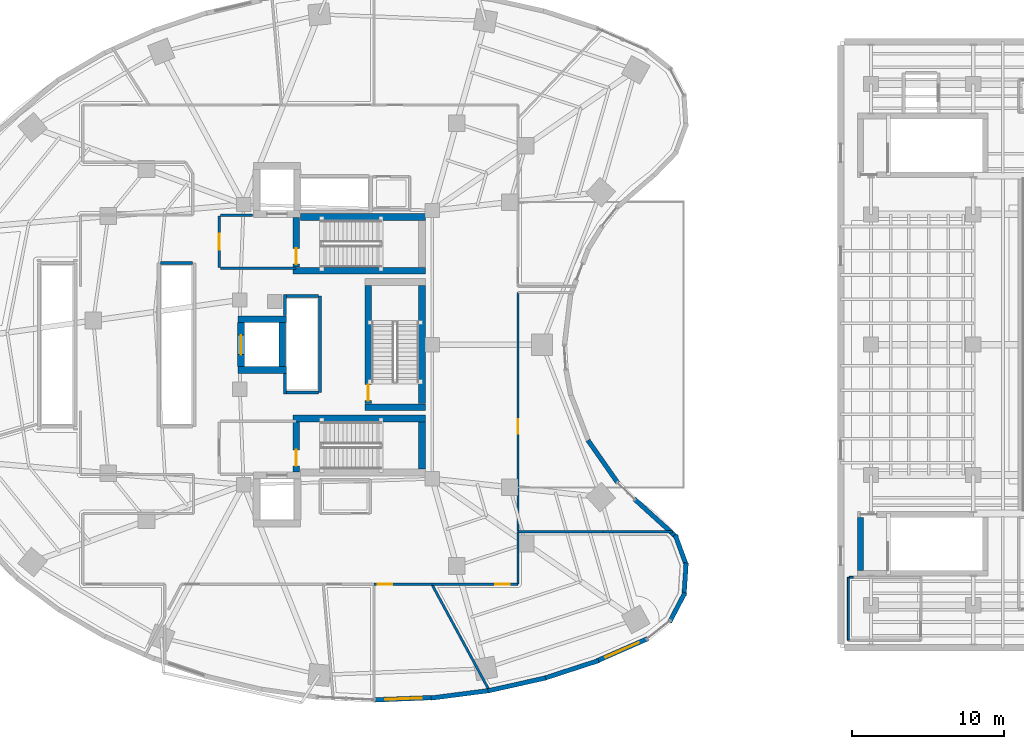
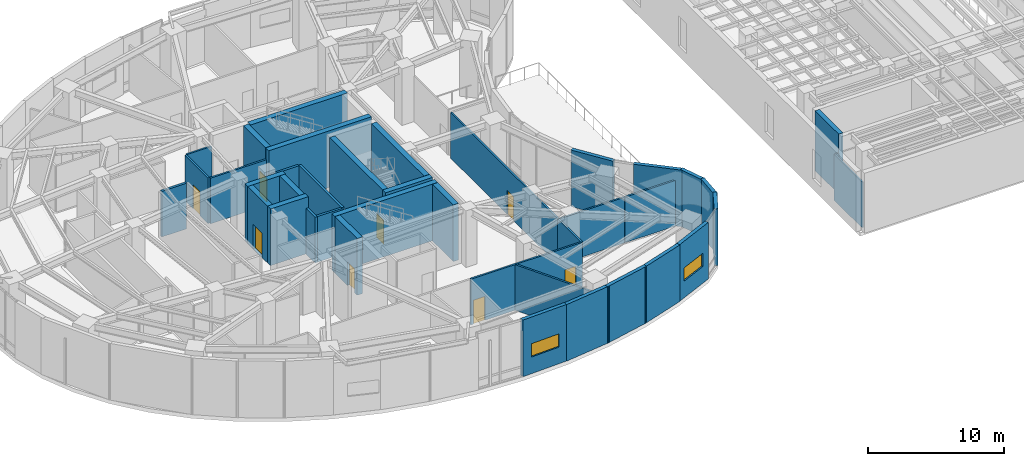
# One storey, part 13 of 19: 42 walls, 8 doors, 2 windows, 10 openings.
"""IFC4 building model written with IfcOpenShell, lengths in metres."""

from ifc_helpers import new_model, si_unit, direction, frame, frame_2d, origin, place, context, subcontext, project, spatial, rectangle, extrude, material, layer, layer_set, type_object, element, fill, save


model = new_model("IFC4")

# Units and contexts
model_context = context("Model", 3, precision=1e-05, world=origin(), true_north=direction((0.0, 1.0)))
body_context = subcontext(model_context, "Body", "Model", "MODEL_VIEW")
ifc_project = project(units=[si_unit("LENGTHUNIT", "METRE"), si_unit("AREAUNIT", "SQUARE_METRE"), si_unit("VOLUMEUNIT", "CUBIC_METRE"), si_unit("PLANEANGLEUNIT", "RADIAN"), si_unit("MASSUNIT", "GRAM", prefix="KILO")], contexts=[model_context])

# Site, building, storey
site_placement = place(None, origin())
site = spatial("IfcSite", under=ifc_project, at=site_placement, CompositionType="ELEMENT")
building_placement = place(site_placement, origin())
building = spatial("IfcBuilding", under=site, at=building_placement, Name="Korentha Bioscience Tower", CompositionType="ELEMENT")
storey_placement = place(building_placement, frame((0.0, 0.0, 20.39990234375)))
storey = spatial("IfcBuildingStorey", under=building, at=storey_placement, Name="L04", CompositionType="ELEMENT", Elevation=20.39990234375)

# Wall, opening, door
ifc_material_1 = material(Name="Double-Stud Acoustic Gypsum", Category="gypsum")
ifc_layer_1 = layer(ifc_material_1, 0.14990234375, Name="Double-Stud Acoustic Gypsum")
ifc_layer_set_1 = layer_set([ifc_layer_1], Name="Double-Stud Acoustic Gypsum (IW-L150)")
wall_type_1 = type_object("IfcWallType", Name="Acoustic Laboratory Partition Wall 150", PredefinedType="PARTITIONING", material=ifc_layer_set_1)
wall_1_placement = place(storey_placement, frame((37.531005859375, 11.18994140625, 0.0), z_axis=(0.0, 0.0, 1.0), x_axis=(1.0, 0.0, 0.0)))
wall_1 = element("IfcWall", 1, at=wall_1_placement, inside=storey, type_object=wall_type_1, Name="L04 Translational Symposium Lecture Room 05 Entrance Wall", PredefinedType="PARTITIONING", context=body_context, shape_type="SweptSolid", body=[
    extrude(rectangle(XDim=5.6689453125, YDim=0.14990234375, at=frame_2d((2.83447265625, 0.0))), origin(), (0.0, 0.0, 1.0), 4.110107421875),
])
opening_1_placement = place(wall_1_placement, frame((4.188720703125, 0.0, 0.0)))
opening_1 = element("IfcOpeningElement", 2, at=opening_1_placement, cuts=wall_1, Name="Opening ID-10L", PredefinedType="OPENING", context=body_context, shape_type="SweptSolid", body=[
    extrude(rectangle(XDim=0.949951171875, YDim=2.14990234375, at=frame_2d((0.47509765625, 1.074951171875))), frame((0.0, 0.08984375, 0.0), z_axis=(0.0, -1.0, 0.0), x_axis=(1.0, 0.0, 0.0)), (0.0, 0.0, 1.0), 0.1796875),
])
ifc_material_2 = material(Name="Phenolic Laminate Timber Core", Category="wood")
door_type_1 = type_object("IfcDoorType", Name="Laboratory Single Leaf Door 950x2150 Left", OperationType="SINGLE_SWING_LEFT", PredefinedType="DOOR", material=ifc_material_2)
door_1_placement = place(opening_1_placement, origin())
door_1 = element("IfcDoor", 3, at=door_1_placement, inside=storey, type_object=door_type_1, Name="L04 Translational Symposium Lecture Room 05 Door", OperationType="SINGLE_SWING_LEFT", OverallHeight=2.14990234375, OverallWidth=0.949951171875, PredefinedType="DOOR", context=body_context, shape_type="SweptSolid", body=[
    extrude(rectangle(XDim=0.949951171875, YDim=2.14990234375, at=frame_2d((0.47509765625, 1.074951171875))), frame((0.0, 0.02490234375, 0.0), z_axis=(0.0, -1.0, 0.0), x_axis=(1.0, 0.0, 0.0)), (0.0, 0.0, 1.0), 0.050048828125),
])
fill(opening_1, door_1)

wall_2_placement = place(storey_placement, frame((43.2099609375, 14.657958984375, 0.0), z_axis=(0.0, 0.0, 1.0), x_axis=(0.0, 1.0, 0.0)))
wall_2 = element("IfcWall", 4, at=wall_2_placement, inside=storey, type_object=wall_type_1, Name="L04 Academic Poster Exhibition Lounge 06 Entrance Wall", PredefinedType="PARTITIONING", context=body_context, shape_type="SweptSolid", body=[
    extrude(rectangle(XDim=15.7900390625, YDim=0.14990234375, at=frame_2d((7.89501953125, 0.0))), origin(), (0.0, 0.0, 1.0), 4.110107421875),
])
opening_2_placement = place(wall_2_placement, frame((6.4716796875, 0.0, 0.0)))
opening_2 = element("IfcOpeningElement", 5, at=opening_2_placement, cuts=wall_2, Name="Opening ID-10R", PredefinedType="OPENING", context=body_context, shape_type="SweptSolid", body=[
    extrude(rectangle(XDim=0.949951171875, YDim=2.14990234375, at=frame_2d((0.47509765625, 1.074951171875))), frame((0.0, 0.08984375, 0.0), z_axis=(0.0, -1.0, 0.0), x_axis=(1.0, 0.0, 0.0)), (0.0, 0.0, 1.0), 0.1796875),
])
door_type_2 = type_object("IfcDoorType", Name="Laboratory Single Leaf Door 950x2150 Right", OperationType="SINGLE_SWING_RIGHT", PredefinedType="DOOR", material=ifc_material_2)
door_2_placement = place(opening_2_placement, origin())
door_2 = element("IfcDoor", 6, at=door_2_placement, inside=storey, type_object=door_type_2, Name="L04 Academic Poster Exhibition Lounge 06 Door", OperationType="SINGLE_SWING_RIGHT", OverallHeight=2.14990234375, OverallWidth=0.949951171875, PredefinedType="DOOR", context=body_context, shape_type="SweptSolid", body=[
    extrude(rectangle(XDim=0.949951171875, YDim=2.14990234375, at=frame_2d((0.47509765625, 1.074951171875))), frame((0.0, 0.02490234375, 0.0), z_axis=(0.0, -1.0, 0.0), x_axis=(1.0, 0.0, 0.0)), (0.0, 0.0, 1.0), 0.050048828125),
])
fill(opening_2, door_2)

# Walls
wall_3_placement = place(storey_placement, frame((48.82177734375, 14.64794921875, 0.0), z_axis=(0.0, 0.0, 1.0), x_axis=(1.0, 0.0, 0.0)))
element("IfcWall", 7, at=wall_3_placement, inside=storey, type_object=wall_type_1, Name="L04 Interior Partition 039", PredefinedType="PARTITIONING", context=body_context, shape_type="SweptSolid", body=[
    extrude(rectangle(XDim=4.564697265625, YDim=0.14990234375, at=frame_2d((2.2822265625, 0.0))), origin(), (0.0, 0.0, 1.0), 4.110107421875),
])
wall_4_placement = place(storey_placement, frame((43.2099609375, 11.199951171875, 0.0), z_axis=(0.0, 0.0, 1.0), x_axis=(0.0, 1.0, 0.0)))
element("IfcWall", 8, at=wall_4_placement, inside=storey, type_object=wall_type_1, Name="L04 Interior Partition 040", PredefinedType="PARTITIONING", context=body_context, shape_type="SweptSolid", body=[
    extrude(rectangle(XDim=3.447998046875, YDim=0.14990234375, at=frame_2d((1.72412109375, 0.0))), origin(), (0.0, 0.0, 1.0), 4.110107421875),
])
wall_5_placement = place(storey_placement, frame((43.2099609375, 14.64794921875, 0.0), z_axis=(0.0, 0.0, 1.0), x_axis=(1.0, 0.0, 0.0)))
element("IfcWall", 9, at=wall_5_placement, inside=storey, type_object=wall_type_1, Name="L04 Interior Partition 041", PredefinedType="PARTITIONING", context=body_context, shape_type="SweptSolid", body=[
    extrude(rectangle(XDim=5.60400390625, YDim=0.14990234375, at=frame_2d((2.802001953125, 0.0))), origin(), (0.0, 0.0, 1.0), 4.110107421875),
])

# Wall, opening, door
ifc_material_3 = material(Name="Gypsum-Clad Steel Stud", Category="steel")
ifc_layer_2 = layer(ifc_material_3, 0.159912109375, Name="Gypsum-Clad Steel Stud")
ifc_layer_set_2 = layer_set([ifc_layer_2], Name="Gypsum-Clad Steel Stud (IW-C160)")
wall_type_2 = type_object("IfcWallType", Name="Fire-Rated Corridor Partition Wall 160", PredefinedType="PARTITIONING", material=ifc_layer_set_2)
wall_6_placement = place(storey_placement, frame((23.5, 32.10009765625, 0.0), z_axis=(0.0, 0.0, 1.0), x_axis=(0.0, 1.0, 0.0)))
wall_6 = element("IfcWall", 10, at=wall_6_placement, inside=storey, type_object=wall_type_2, Name="L04 FFLN-CW Rated Enclosure Wall", PredefinedType="PARTITIONING", context=body_context, shape_type="SweptSolid", body=[
    extrude(rectangle(XDim=3.39990234375, YDim=0.159912109375, at=frame_2d((1.699951171875, 0.0))), origin(), (0.0, 0.0, 1.0), 4.110107421875),
])
opening_3_placement = place(wall_6_placement, frame((1.175048828125, 0.0, 0.0)))
opening_3 = element("IfcOpeningElement", 11, at=opening_3_placement, cuts=wall_6, Name="Opening FD-90L", PredefinedType="OPENING", context=body_context, shape_type="SweptSolid", body=[
    extrude(rectangle(XDim=1.050048828125, YDim=2.14990234375, at=frame_2d((0.52490234375, 1.074951171875))), frame((0.0, 0.0947265625, 0.0), z_axis=(0.0, -1.0, 0.0), x_axis=(1.0, 0.0, 0.0)), (0.0, 0.0, 1.0), 0.189697265625),
])
ifc_material_4 = material(Name="Powder-Coated Fire-Rated Steel", Category="steel")
door_type_3 = type_object("IfcDoorType", Name="Stairwell Fire Exit Door 1050x2150 Left", OperationType="SINGLE_SWING_LEFT", PredefinedType="DOOR", material=ifc_material_4)
door_3_placement = place(opening_3_placement, origin())
door_3 = element("IfcDoor", 12, at=door_3_placement, inside=storey, type_object=door_type_3, Name="L04 North Firefighting Lobby Door", OperationType="SINGLE_SWING_LEFT", OverallHeight=2.14990234375, OverallWidth=1.050048828125, PredefinedType="DOOR", context=body_context, shape_type="SweptSolid", body=[
    extrude(rectangle(XDim=1.050048828125, YDim=2.14990234375, at=frame_2d((0.52490234375, 1.074951171875))), frame((0.0, 0.02490234375, 0.0), z_axis=(0.0, -1.0, 0.0), x_axis=(1.0, 0.0, 0.0)), (0.0, 0.0, 1.0), 0.050048828125),
])
fill(opening_3, door_3)

# Walls
wall_7_placement = place(storey_placement, frame((23.580078125, 32.050048828125, 0.0), z_axis=(0.0, 0.0, 1.0), x_axis=(1.0, 0.0, 0.0)))
element("IfcWall", 13, at=wall_7_placement, inside=storey, type_object=wall_type_2, Name="L04 Firefighting Lobby Return Wall FFLN-S", PredefinedType="PARTITIONING", context=body_context, shape_type="SweptSolid", body=[
    extrude(rectangle(XDim=4.969970703125, YDim=0.159912109375, at=frame_2d((2.48486328125, 0.0))), origin(), (0.0, 0.0, 1.0), 4.110107421875),
])
wall_8_placement = place(storey_placement, frame((23.580078125, 35.550048828125, 0.0), z_axis=(0.0, 0.0, 1.0), x_axis=(1.0, 0.0, 0.0)))
element("IfcWall", 14, at=wall_8_placement, inside=storey, type_object=wall_type_2, Name="L04 Firefighting Lobby Return Wall FFLN-N", PredefinedType="PARTITIONING", context=body_context, shape_type="SweptSolid", body=[
    extrude(rectangle(XDim=2.119873046875, YDim=0.159912109375, at=frame_2d((1.06005859375, 0.0))), origin(), (0.0, 0.0, 1.0), 4.110107421875),
])

# Wall, opening, door
wall_9_placement = place(storey_placement, frame((33.7080078125, 11.18994140625, 0.0), z_axis=(0.0, 0.0, 1.0), x_axis=(1.0, 0.0, 0.0)))
wall_9 = element("IfcWall", 15, at=wall_9_placement, inside=storey, type_object=wall_type_2, Name="L04 Audio-Visual Equipment Store 04 Entrance Wall", PredefinedType="PARTITIONING", context=body_context, shape_type="SweptSolid", body=[
    extrude(rectangle(XDim=3.811767578125, YDim=0.159912109375, at=frame_2d((1.90576171875, 0.0))), origin(), (0.0, 0.0, 1.0), 4.110107421875),
])
opening_4_placement = place(wall_9_placement, frame((0.239990234375, 0.0, 0.0)))
opening_4 = element("IfcOpeningElement", 16, at=opening_4_placement, cuts=wall_9, Name="Opening ID-10R", PredefinedType="OPENING", context=body_context, shape_type="SweptSolid", body=[
    extrude(rectangle(XDim=0.949951171875, YDim=2.14990234375, at=frame_2d((0.47509765625, 1.074951171875))), frame((0.0, 0.0947265625, 0.0), z_axis=(0.0, -1.0, 0.0), x_axis=(1.0, 0.0, 0.0)), (0.0, 0.0, 1.0), 0.189697265625),
])
door_4_placement = place(opening_4_placement, origin())
door_4 = element("IfcDoor", 17, at=door_4_placement, inside=storey, type_object=door_type_2, Name="L04 Audio-Visual Equipment Store 04 Door", OperationType="SINGLE_SWING_RIGHT", OverallHeight=2.14990234375, OverallWidth=0.949951171875, PredefinedType="DOOR", context=body_context, shape_type="SweptSolid", body=[
    extrude(rectangle(XDim=0.949951171875, YDim=2.14990234375, at=frame_2d((0.47509765625, 1.074951171875))), frame((0.0, 0.02490234375, 0.0), z_axis=(0.0, -1.0, 0.0), x_axis=(1.0, 0.0, 0.0)), (0.0, 0.0, 1.0), 0.050048828125),
])
fill(opening_4, door_4)

# Wall
wall_10_placement = place(storey_placement, frame((37.519775390625, 11.18994140625, 0.0), z_axis=(0.0, 0.0, 1.0), x_axis=(0.475637041368, -0.879641634348, 0.0)))
element("IfcWall", 18, at=wall_10_placement, inside=storey, type_object=wall_type_2, Name="L04 Interior Partition 038", PredefinedType="PARTITIONING", context=body_context, shape_type="SweptSolid", body=[
    extrude(rectangle(XDim=8.084228515625, YDim=0.159912109375, at=frame_2d((4.0419921875, 0.0))), origin(), (0.0, 0.0, 1.0), 4.110107421875),
])

# Wall, opening, window
ifc_material_5 = material(Name="Honed Limestone Precast Concrete C40", Category="masonry")
ifc_layer_3 = layer(ifc_material_5, 0.300048828125, Name="Honed Limestone Precast Concrete C40")
ifc_layer_set_3 = layer_set([ifc_layer_3], Name="Honed Limestone Precast Concrete C40 (EW-ST300)")
wall_type_3 = type_object("IfcWallType", Name="Honed Limestone Cavity Spandrel Wall 300", PredefinedType="STANDARD", material=ifc_layer_set_3)
wall_11_placement = place(storey_placement, frame((33.68701171875, 3.558349609375, 0.0), z_axis=(0.0, 0.0, 1.0), x_axis=(0.999247008469, 0.038799691558, 0.0)))
wall_11 = element("IfcWall", 19, at=wall_11_placement, inside=storey, type_object=wall_type_3, Name="L04 Honed Limestone Spandrel Wall 32", PredefinedType="STANDARD", context=body_context, shape_type="SweptSolid", body=[
    extrude(rectangle(XDim=3.93896484375, YDim=0.300048828125, at=frame_2d((1.969482421875, 0.0))), origin(), (0.0, 0.0, 1.0), 5.10009765625),
])
opening_5_placement = place(wall_11_placement, frame((0.769287109375, 0.0, 1.5)))
opening_5 = element("IfcOpeningElement", 20, at=opening_5_placement, cuts=wall_11, Name="Opening WN-04", PredefinedType="OPENING", context=body_context, shape_type="SweptSolid", body=[
    extrude(rectangle(XDim=2.39990234375, YDim=1.199951171875, at=frame_2d((1.199951171875, 0.60009765625))), frame((0.0, 0.1650390625, 0.0), z_axis=(0.0, -1.0, 0.0), x_axis=(1.0, 0.0, 0.0)), (0.0, 0.0, 1.0), 0.329833984375),
])
ifc_material_6 = material(Name="Thermally Broken Aluminium Triple Glazing", Category="aluminium")
window_type = type_object("IfcWindowType", Name="Podium Clerestory Ribbon Window 2400x1200", PartitioningType="DOUBLE_PANEL_HORIZONTAL", PredefinedType="WINDOW", material=ifc_material_6)
window_1_placement = place(opening_5_placement, origin())
window_1 = element("IfcWindow", 21, at=window_1_placement, inside=storey, type_object=window_type, Name="L04 Facade Window 32", OverallHeight=1.199951171875, OverallWidth=2.39990234375, PartitioningType="DOUBLE_PANEL_HORIZONTAL", PredefinedType="WINDOW", context=body_context, shape_type="SweptSolid", body=[
    extrude(rectangle(XDim=2.39990234375, YDim=1.199951171875, at=frame_2d((1.199951171875, 0.60009765625))), frame((0.0, 0.030029296875, 0.0), z_axis=(0.0, -1.0, 0.0), x_axis=(1.0, 0.0, 0.0)), (0.0, 0.0, 1.0), 0.06005859375),
])
fill(opening_5, window_1)

wall_12_placement = place(storey_placement, frame((48.37255859375, 6.115478515625, 0.0), z_axis=(0.0, 0.0, 1.0), x_axis=(0.91593836551, 0.401318963652, 0.0)))
wall_12 = element("IfcWall", 22, at=wall_12_placement, inside=storey, type_object=wall_type_3, Name="L04 Honed Limestone Spandrel Wall 36", PredefinedType="STANDARD", context=body_context, shape_type="SweptSolid", body=[
    extrude(rectangle(XDim=3.712646484375, YDim=0.300048828125, at=frame_2d((1.8564453125, 0.0))), origin(), (0.0, 0.0, 1.0), 5.10009765625),
])
opening_6_placement = place(wall_12_placement, frame((0.65625, 0.0, 1.5)))
opening_6 = element("IfcOpeningElement", 23, at=opening_6_placement, cuts=wall_12, Name="Opening WN-04", PredefinedType="OPENING", context=body_context, shape_type="SweptSolid", body=[
    extrude(rectangle(XDim=2.39990234375, YDim=1.199951171875, at=frame_2d((1.199951171875, 0.60009765625))), frame((0.0, 0.1650390625, 0.0), z_axis=(0.0, -1.0, 0.0), x_axis=(1.0, 0.0, 0.0)), (0.0, 0.0, 1.0), 0.329833984375),
])
window_2_placement = place(opening_6_placement, origin())
window_2 = element("IfcWindow", 24, at=window_2_placement, inside=storey, type_object=window_type, Name="L04 Facade Window 36", OverallHeight=1.199951171875, OverallWidth=2.39990234375, PartitioningType="DOUBLE_PANEL_HORIZONTAL", PredefinedType="WINDOW", context=body_context, shape_type="SweptSolid", body=[
    extrude(rectangle(XDim=2.39990234375, YDim=1.199951171875, at=frame_2d((1.199951171875, 0.60009765625))), frame((0.0, 0.030029296875, 0.0), z_axis=(0.0, -1.0, 0.0), x_axis=(1.0, 0.0, 0.0)), (0.0, 0.0, 1.0), 0.06005859375),
])
fill(opening_6, window_2)

# Walls
wall_13_placement = place(storey_placement, frame((37.471923828125, 3.677734375, 0.0), z_axis=(0.0, 0.0, 1.0), x_axis=(0.991734095036, 0.128310111617, 0.0)))
element("IfcWall", 25, at=wall_13_placement, inside=storey, type_object=wall_type_3, Name="L04 Limestone Perimeter Closure Wall 33", PredefinedType="STANDARD", context=body_context, shape_type="SweptSolid", body=[
    extrude(rectangle(XDim=3.955810546875, YDim=0.300048828125, at=frame_2d((1.97802734375, 0.0))), origin(), (0.0, 0.0, 1.0), 5.10009765625),
])
wall_14_placement = place(storey_placement, frame((41.22509765625, 4.1552734375, 0.0), z_axis=(0.0, 0.0, 1.0), x_axis=(0.975868573345, 0.218358713032, 0.0)))
element("IfcWall", 26, at=wall_14_placement, inside=storey, type_object=wall_type_3, Name="L04 Limestone Perimeter Closure Wall 34", PredefinedType="STANDARD", context=body_context, shape_type="SweptSolid", body=[
    extrude(rectangle(XDim=3.90869140625, YDim=0.300048828125, at=frame_2d((1.954345703125, 0.0))), origin(), (0.0, 0.0, 1.0), 5.10009765625),
])
wall_15_placement = place(storey_placement, frame((44.872802734375, 4.963134765625, 0.0), z_axis=(0.0, 0.0, 1.0), x_axis=(0.950965833732, 0.309295947393, 0.0)))
element("IfcWall", 27, at=wall_15_placement, inside=storey, type_object=wall_type_3, Name="L04 Limestone Perimeter Closure Wall 35", PredefinedType="STANDARD", context=body_context, shape_type="SweptSolid", body=[
    extrude(rectangle(XDim=3.840087890625, YDim=0.300048828125, at=frame_2d((1.919921875, 0.0))), origin(), (0.0, 0.0, 1.0), 5.10009765625),
])
wall_16_placement = place(storey_placement, frame((53.20751953125, 8.691650390625, 0.0), z_axis=(0.0, 0.0, 1.0), x_axis=(0.463035066673, 0.886339961319, 0.0)))
element("IfcWall", 28, at=wall_16_placement, inside=storey, type_object=wall_type_3, Name="L04 Limestone Perimeter Closure Wall 38", PredefinedType="STANDARD", context=body_context, shape_type="SweptSolid", body=[
    extrude(rectangle(XDim=2.1875, YDim=0.300048828125, at=frame_2d((1.09375, 0.0))), origin(), (0.0, 0.0, 1.0), 5.10009765625),
])
for number, where, z_axis, x_axis, name in (
    (29, (54.16259765625, 10.42431640625, 0.0), (0.0, 0.0, 1.0), (0.064615302336, 0.99791024782, 0.0), "L04 Limestone Perimeter Closure Wall 39"),
    (30, (54.334716796875, 12.39501953125, 0.0), (0.0, 0.0, 1.0), (-0.344939866054, 0.938624785954, 0.0), "L04 Limestone Perimeter Closure Wall 40"),
):
    element("IfcWall", number, at=place(storey_placement, frame(where, z_axis=z_axis, x_axis=x_axis)), inside=storey, type_object=wall_type_3, Name=name, PredefinedType="STANDARD", context=body_context, shape_type="SweptSolid", body=[
        extrude(rectangle(XDim=2.187744140625, YDim=0.300048828125, at=frame_2d((1.09375, 0.0))), origin(), (0.0, 0.0, 1.0), 5.10009765625),
    ])
wall_17_placement = place(storey_placement, frame((53.704345703125, 14.26416015625, 0.0), z_axis=(0.0, 0.0, 1.0), x_axis=(-0.74117794387, 0.671308614216, 0.0)))
element("IfcWall", 31, at=wall_17_placement, inside=storey, type_object=wall_type_3, Name="L04 Limestone Perimeter Closure Wall 41", PredefinedType="STANDARD", context=body_context, shape_type="SweptSolid", body=[
    extrude(rectangle(XDim=3.815673828125, YDim=0.300048828125, at=frame_2d((1.90771484375, 0.0))), origin(), (0.0, 0.0, 1.0), 5.10009765625),
])
wall_18_placement = place(storey_placement, frame((49.79248046875, 17.8779296875, 0.0), z_axis=(0.0, 0.0, 1.0), x_axis=(-0.573576992806, 0.819151654655, 0.0)))
element("IfcWall", 32, at=wall_18_placement, inside=storey, type_object=wall_type_3, Name="L04 Limestone Perimeter Closure Wall 44", PredefinedType="STANDARD", context=body_context, shape_type="SweptSolid", body=[
    extrude(rectangle(XDim=3.429931640625, YDim=0.300048828125, at=frame_2d((1.71484375, 0.0))), origin(), (0.0, 0.0, 1.0), 5.10009765625),
])
ifc_material_7 = material(Name="Autoclaved Aerated Concrete Block C25", Category="concrete")
ifc_layer_4 = layer(ifc_material_7, 0.199951171875, Name="Autoclaved Aerated Concrete Block C25")
ifc_layer_set_4 = layer_set([ifc_layer_4], Name="Autoclaved Aerated Concrete Block C25 (IW-S200)")
wall_type_4 = type_object("IfcWallType", Name="Lift and Riser Shaft Enclosure Wall 200", PredefinedType="PARTITIONING", material=ifc_layer_set_4)
wall_19_placement = place(storey_placement, frame((19.6201171875, 32.39990234375, 0.0), z_axis=(0.0, 0.0, 1.0), x_axis=(1.0, 0.0, 0.0)))
element("IfcWall", 33, at=wall_19_placement, inside=storey, type_object=wall_type_4, Name="L04 Lift Bank MID Shaft Wall +Y", PredefinedType="PARTITIONING", context=body_context, shape_type="SweptSolid", body=[
    extrude(rectangle(XDim=2.10986328125, YDim=0.199951171875, at=frame_2d((1.054931640625, 0.0))), origin(), (0.0, 0.0, 1.0), 4.110107421875),
])
wall_20_placement = place(storey_placement, frame((27.830078125, 23.75, 0.0), z_axis=(0.0, 0.0, 1.0), x_axis=(0.0, 1.0, 0.0)))
element("IfcWall", 34, at=wall_20_placement, inside=storey, type_object=wall_type_4, Name="L04 Lift Bank HIGH Shaft Wall -XS", PredefinedType="PARTITIONING", context=body_context, shape_type="SweptSolid", body=[
    extrude(rectangle(XDim=1.341064453125, YDim=0.199951171875, at=frame_2d((0.67041015625, 0.0))), origin(), (0.0, 0.0, 1.0), 4.110107421875),
])
wall_21_placement = place(storey_placement, frame((27.830078125, 28.908935546875, 0.0), z_axis=(0.0, 0.0, 1.0), x_axis=(0.0, 1.0, 0.0)))
element("IfcWall", 35, at=wall_21_placement, inside=storey, type_object=wall_type_4, Name="L04 Lift Bank HIGH Shaft Wall -XN", PredefinedType="PARTITIONING", context=body_context, shape_type="SweptSolid", body=[
    extrude(rectangle(XDim=1.39111328125, YDim=0.199951171875, at=frame_2d((0.695556640625, 0.0))), origin(), (0.0, 0.0, 1.0), 4.110107421875),
])
wall_22_placement = place(storey_placement, frame((30.14990234375, 23.85009765625, 0.0), z_axis=(0.0, 0.0, 1.0), x_axis=(0.0, 1.0, 0.0)))
element("IfcWall", 36, at=wall_22_placement, inside=storey, type_object=wall_type_4, Name="L04 Lift Bank HIGH Shaft Wall +X", PredefinedType="PARTITIONING", context=body_context, shape_type="SweptSolid", body=[
    extrude(rectangle(XDim=6.349853515625, YDim=0.199951171875, at=frame_2d((3.1748046875, 0.0))), origin(), (0.0, 0.0, 1.0), 4.110107421875),
])
for number, where, z_axis, x_axis, name in (
    (37, (27.93408203125, 23.85009765625, 0.0), (0.0, 0.0, 1.0), (1.0, 0.0, 0.0), "L04 Lift Bank HIGH Shaft Wall -Y"),
    (38, (27.93408203125, 30.199951171875, 0.0), (0.0, 0.0, 1.0), (1.0, 0.0, 0.0), "L04 Lift Bank HIGH Shaft Wall +Y"),
):
    element("IfcWall", number, at=place(storey_placement, frame(where, z_axis=z_axis, x_axis=x_axis)), inside=storey, type_object=wall_type_4, Name=name, PredefinedType="PARTITIONING", context=body_context, shape_type="SweptSolid", body=[
        extrude(rectangle(XDim=2.095947265625, YDim=0.199951171875, at=frame_2d((1.0478515625, 0.0))), origin(), (0.0, 0.0, 1.0), 4.110107421875),
    ])
ifc_material_8 = material(Name="Concrete C80", Category="concrete")
ifc_layer_5 = layer(ifc_material_8, 0.449951171875, Name="Concrete C80")
ifc_layer_set_5 = layer_set([ifc_layer_5], Name="Concrete C80 (CW-C80)")
wall_type_5 = type_object("IfcWallType", Name="Lower Core Shear Wall 450", PredefinedType="SHEAR", material=ifc_layer_set_5)
wall_23_placement = place(storey_placement, frame((28.85205078125, 35.425048828125, 0.0), z_axis=(0.0, 0.0, 1.0), x_axis=(1.0, 0.0, 0.0)))
element("IfcWall", 39, at=wall_23_placement, inside=storey, type_object=wall_type_5, Name="L04 Core Shear Wall ST1-N", PredefinedType="SHEAR", context=body_context, shape_type="SweptSolid", body=[
    extrude(rectangle(XDim=8.248046875, YDim=0.449951171875, at=frame_2d((4.1240234375, 0.0))), origin(), (0.0, 0.0, 1.0), 5.10009765625),
])
wall_24_placement = place(storey_placement, frame((28.35009765625, 31.875, 0.0), z_axis=(0.0, 0.0, 1.0), x_axis=(1.0, 0.0, 0.0)))
element("IfcWall", 40, at=wall_24_placement, inside=storey, type_object=wall_type_5, Name="L04 Core Shear Wall ST1-S", PredefinedType="SHEAR", context=body_context, shape_type="SweptSolid", body=[
    extrude(rectangle(XDim=8.75, YDim=0.449951171875, at=frame_2d((4.375, 0.0))), origin(), (0.0, 0.0, 1.0), 5.10009765625),
])

# Wall, opening, door
wall_25_placement = place(storey_placement, frame((28.574951171875, 32.110107421875, 0.0), z_axis=(0.0, 0.0, 1.0), x_axis=(0.0, 1.0, 0.0)))
wall_25 = element("IfcWall", 41, at=wall_25_placement, inside=storey, type_object=wall_type_5, Name="L04 Core Shear Wall ST1-W", PredefinedType="SHEAR", context=body_context, shape_type="SweptSolid", body=[
    extrude(rectangle(XDim=3.282958984375, YDim=0.449951171875, at=frame_2d((1.6416015625, 0.0))), origin(), (0.0, 0.0, 1.0), 5.10009765625),
])
opening_7_placement = place(wall_25_placement, frame((0.199951171875, 0.0, 0.0)))
opening_7 = element("IfcOpeningElement", 42, at=opening_7_placement, cuts=wall_25, Name="Opening FD-90L", PredefinedType="OPENING", context=body_context, shape_type="SweptSolid", body=[
    extrude(rectangle(XDim=1.050048828125, YDim=2.14990234375, at=frame_2d((0.52490234375, 1.074951171875))), frame((0.0, 0.23974609375, 0.0), z_axis=(0.0, -1.0, 0.0), x_axis=(1.0, 0.0, 0.0)), (0.0, 0.0, 1.0), 0.479736328125),
])
door_5_placement = place(opening_7_placement, origin())
door_5 = element("IfcDoor", 43, at=door_5_placement, inside=storey, type_object=door_type_3, Name="L04 ST-1 Fire Exit Stair Door", OperationType="SINGLE_SWING_LEFT", OverallHeight=2.14990234375, OverallWidth=1.050048828125, PredefinedType="DOOR", context=body_context, shape_type="SweptSolid", body=[
    extrude(rectangle(XDim=1.050048828125, YDim=2.14990234375, at=frame_2d((0.52490234375, 1.074951171875))), frame((0.0, 0.02490234375, 0.0), z_axis=(0.0, -1.0, 0.0), x_axis=(1.0, 0.0, 0.0)), (0.0, 0.0, 1.0), 0.050048828125),
])
fill(opening_7, door_5)

# Walls
wall_26_placement = place(storey_placement, frame((28.35009765625, 22.125, 0.0), z_axis=(0.0, 0.0, 1.0), x_axis=(1.0, 0.0, 0.0)))
element("IfcWall", 44, at=wall_26_placement, inside=storey, type_object=wall_type_5, Name="L04 Core Shear Wall ST2-N", PredefinedType="SHEAR", context=body_context, shape_type="SweptSolid", body=[
    extrude(rectangle(XDim=8.75, YDim=0.449951171875, at=frame_2d((4.375, 0.0))), origin(), (0.0, 0.0, 1.0), 5.10009765625),
])
wall_27_placement = place(storey_placement, frame((36.875, 18.81005859375, 0.0), z_axis=(0.0, 0.0, 1.0), x_axis=(0.0, 1.0, 0.0)))
element("IfcWall", 45, at=wall_27_placement, inside=storey, type_object=wall_type_5, Name="L04 Core Shear Wall ST2-E", PredefinedType="SHEAR", context=body_context, shape_type="SweptSolid", body=[
    extrude(rectangle(XDim=3.079833984375, YDim=0.449951171875, at=frame_2d((1.5400390625, 0.0))), origin(), (0.0, 0.0, 1.0), 5.10009765625),
])

# Wall, opening, door
wall_28_placement = place(storey_placement, frame((28.574951171875, 18.60693359375, 0.0), z_axis=(0.0, 0.0, 1.0), x_axis=(0.0, 1.0, 0.0)))
wall_28 = element("IfcWall", 46, at=wall_28_placement, inside=storey, type_object=wall_type_5, Name="L04 Core Shear Wall ST2-W", PredefinedType="SHEAR", context=body_context, shape_type="SweptSolid", body=[
    extrude(rectangle(XDim=3.282958984375, YDim=0.449951171875, at=frame_2d((1.6416015625, 0.0))), origin(), (0.0, 0.0, 1.0), 5.10009765625),
])
opening_8_placement = place(wall_28_placement, frame((0.403076171875, 0.0, 0.0)))
opening_8 = element("IfcOpeningElement", 47, at=opening_8_placement, cuts=wall_28, Name="Opening FD-90L", PredefinedType="OPENING", context=body_context, shape_type="SweptSolid", body=[
    extrude(rectangle(XDim=1.050048828125, YDim=2.14990234375, at=frame_2d((0.52490234375, 1.074951171875))), frame((0.0, 0.23974609375, 0.0), z_axis=(0.0, -1.0, 0.0), x_axis=(1.0, 0.0, 0.0)), (0.0, 0.0, 1.0), 0.479736328125),
])
door_6_placement = place(opening_8_placement, origin())
door_6 = element("IfcDoor", 48, at=door_6_placement, inside=storey, type_object=door_type_3, Name="L04 ST-2 Fire Exit Stair Door", OperationType="SINGLE_SWING_LEFT", OverallHeight=2.14990234375, OverallWidth=1.050048828125, PredefinedType="DOOR", context=body_context, shape_type="SweptSolid", body=[
    extrude(rectangle(XDim=1.050048828125, YDim=2.14990234375, at=frame_2d((0.52490234375, 1.074951171875))), frame((0.0, 0.02490234375, 0.0), z_axis=(0.0, -1.0, 0.0), x_axis=(1.0, 0.0, 0.0)), (0.0, 0.0, 1.0), 0.050048828125),
])
fill(opening_8, door_6)

# Walls
wall_29_placement = place(storey_placement, frame((33.10009765625, 22.875, 0.0), z_axis=(0.0, 0.0, 1.0), x_axis=(1.0, 0.0, 0.0)))
element("IfcWall", 49, at=wall_29_placement, inside=storey, type_object=wall_type_5, Name="L04 Core Shear Wall ST3-S", PredefinedType="SHEAR", context=body_context, shape_type="SweptSolid", body=[
    extrude(rectangle(XDim=4.0, YDim=0.449951171875, at=frame_2d((2.0, 0.0))), origin(), (0.0, 0.0, 1.0), 5.10009765625),
])
wall_30_placement = place(storey_placement, frame((36.875, 23.110107421875, 0.0), z_axis=(0.0, 0.0, 1.0), x_axis=(0.0, 1.0, 0.0)))
element("IfcWall", 50, at=wall_30_placement, inside=storey, type_object=wall_type_5, Name="L04 Core Shear Wall ST3-E", PredefinedType="SHEAR", context=body_context, shape_type="SweptSolid", body=[
    extrude(rectangle(XDim=7.77978515625, YDim=0.449951171875, at=frame_2d((3.889892578125, 0.0))), origin(), (0.0, 0.0, 1.0), 5.10009765625),
])

# Wall, opening, door
wall_31_placement = place(storey_placement, frame((33.324951171875, 23.110107421875, 0.0), z_axis=(0.0, 0.0, 1.0), x_axis=(0.0, 1.0, 0.0)))
wall_31 = element("IfcWall", 51, at=wall_31_placement, inside=storey, type_object=wall_type_5, Name="L04 Core Shear Wall ST3-W", PredefinedType="SHEAR", context=body_context, shape_type="SweptSolid", body=[
    extrude(rectangle(XDim=7.77978515625, YDim=0.449951171875, at=frame_2d((3.889892578125, 0.0))), origin(), (0.0, 0.0, 1.0), 5.10009765625),
])
opening_9_placement = place(wall_31_placement, frame((0.199951171875, 0.0, 0.0)))
opening_9 = element("IfcOpeningElement", 52, at=opening_9_placement, cuts=wall_31, Name="Opening FD-90L", PredefinedType="OPENING", context=body_context, shape_type="SweptSolid", body=[
    extrude(rectangle(XDim=1.050048828125, YDim=2.14990234375, at=frame_2d((0.52490234375, 1.074951171875))), frame((0.0, 0.23974609375, 0.0), z_axis=(0.0, -1.0, 0.0), x_axis=(1.0, 0.0, 0.0)), (0.0, 0.0, 1.0), 0.479736328125),
])
door_7_placement = place(opening_9_placement, origin())
door_7 = element("IfcDoor", 53, at=door_7_placement, inside=storey, type_object=door_type_3, Name="L04 ST-3 Fire Exit Stair Door", OperationType="SINGLE_SWING_LEFT", OverallHeight=2.14990234375, OverallWidth=1.050048828125, PredefinedType="DOOR", context=body_context, shape_type="SweptSolid", body=[
    extrude(rectangle(XDim=1.050048828125, YDim=2.14990234375, at=frame_2d((0.52490234375, 1.074951171875))), frame((0.0, 0.02490234375, 0.0), z_axis=(0.0, -1.0, 0.0), x_axis=(1.0, 0.0, 0.0)), (0.0, 0.0, 1.0), 0.050048828125),
])
fill(opening_9, door_7)

# Walls
for number, where, z_axis, x_axis, name in (
    (54, (24.719970703125, 28.679931640625, 0.0), (0.0, 0.0, 1.0), (1.0, 0.0, 0.0), "L04 Core Shear Wall SVL1-N"),
    (55, (24.719970703125, 25.320068359375, 0.0), (0.0, 0.0, 1.0), (1.0, 0.0, 0.0), "L04 Core Shear Wall SVL1-S"),
):
    element("IfcWall", number, at=place(storey_placement, frame(where, z_axis=z_axis, x_axis=x_axis)), inside=storey, type_object=wall_type_5, Name=name, PredefinedType="SHEAR", context=body_context, shape_type="SweptSolid", body=[
        extrude(rectangle(XDim=3.2099609375, YDim=0.449951171875, at=frame_2d((1.60498046875, 0.0))), origin(), (0.0, 0.0, 1.0), 5.10009765625),
    ])

# Wall, opening, door
wall_32_placement = place(storey_placement, frame((24.919921875, 25.547119140625, 0.0), z_axis=(0.0, 0.0, 1.0), x_axis=(0.0, 1.0, 0.0)))
wall_32 = element("IfcWall", 56, at=wall_32_placement, inside=storey, type_object=wall_type_5, Name="L04 Core Shear Wall SVL1-W", PredefinedType="SHEAR", context=body_context, shape_type="SweptSolid", body=[
    extrude(rectangle(XDim=2.90576171875, YDim=0.449951171875, at=frame_2d((1.452880859375, 0.0))), origin(), (0.0, 0.0, 1.0), 5.10009765625),
])
opening_10_placement = place(wall_32_placement, frame((0.7900390625, 0.0, 0.0)))
opening_10 = element("IfcOpeningElement", 57, at=opening_10_placement, cuts=wall_32, Name="Opening LD-13", PredefinedType="OPENING", context=body_context, shape_type="SweptSolid", body=[
    extrude(rectangle(XDim=1.300048828125, YDim=2.199951171875, at=frame_2d((0.64990234375, 1.10009765625))), frame((0.0, 0.23974609375, 0.0), z_axis=(0.0, -1.0, 0.0), x_axis=(1.0, 0.0, 0.0)), (0.0, 0.0, 1.0), 0.479736328125),
])
ifc_material_9 = material(Name="Brushed Stainless Steel 316", Category="steel")
door_type_4 = type_object("IfcDoorType", Name="Service & Firefighting Lift Landing Door 1300x2300", OperationType="DOUBLE_DOOR_SLIDING", PredefinedType="DOOR", material=ifc_material_9)
door_8_placement = place(opening_10_placement, origin())
door_8 = element("IfcDoor", 58, at=door_8_placement, inside=storey, type_object=door_type_4, Name="L04 SVL-1 Sliding Lift Landing Door", OperationType="DOUBLE_DOOR_SLIDING", OverallHeight=2.199951171875, OverallWidth=1.300048828125, PredefinedType="DOOR", context=body_context, shape_type="SweptSolid", body=[
    extrude(rectangle(XDim=1.300048828125, YDim=2.199951171875, at=frame_2d((0.64990234375, 1.10009765625))), frame((0.0, 0.02490234375, 0.0), z_axis=(0.0, -1.0, 0.0), x_axis=(1.0, 0.0, 0.0)), (0.0, 0.0, 1.0), 0.050048828125),
])
fill(opening_10, door_8)

# Walls
wall_33_placement = place(storey_placement, frame((27.64990234375, 25.547119140625, 0.0), z_axis=(0.0, 0.0, 1.0), x_axis=(0.0, 1.0, 0.0)))
element("IfcWall", 59, at=wall_33_placement, inside=storey, type_object=wall_type_5, Name="L04 Core Shear Wall SVL1-E", PredefinedType="SHEAR", context=body_context, shape_type="SweptSolid", body=[
    extrude(rectangle(XDim=2.90576171875, YDim=0.449951171875, at=frame_2d((1.452880859375, 0.0))), origin(), (0.0, 0.0, 1.0), 5.10009765625),
])
ifc_material_10 = material(Name="Concrete C50", Category="concrete")
ifc_layer_6 = layer(ifc_material_10, 0.3798828125, Name="Concrete C50")
ifc_layer_set_6 = layer_set([ifc_layer_6], Name="Concrete C50 (TW-I380)")
wall_type_6 = type_object("IfcWallType", Name="Theatre Proscenium Shear Wall 380", PredefinedType="SHEAR", material=ifc_layer_set_6)
wall_34_placement = place(storey_placement, frame((65.81005859375, 12.110107421875, 0.0), z_axis=(0.0, 0.0, 1.0), x_axis=(0.0, 1.0, 0.0)))
element("IfcWall", 60, at=wall_34_placement, inside=storey, type_object=wall_type_6, Name="L04 Theatre Shear Wall STT1-W", PredefinedType="SHEAR", context=body_context, shape_type="SweptSolid", body=[
    extrude(rectangle(XDim=3.47998046875, YDim=0.3798828125, at=frame_2d((1.739990234375, 0.0))), origin(), (0.0, 0.0, 1.0), 5.400146484375),
])
ifc_material_11 = material(Name="Cement-Board Steel Stud", Category="steel")
ifc_layer_7 = layer(ifc_material_11, 0.1298828125, Name="Cement-Board Steel Stud")
ifc_layer_set_7 = layer_set([ifc_layer_7], Name="Cement-Board Steel Stud (IW-W130)")
wall_type_7 = type_object("IfcWallType", Name="Wet-Area Moisture-Resistant Partition 130", PredefinedType="PARTITIONING", material=ifc_layer_set_7)
wall_35_placement = place(storey_placement, frame((65.0, 7.5, 0.0), z_axis=(0.0, 0.0, 1.0), x_axis=(0.0, 1.0, 0.0)))
element("IfcWall", 61, at=wall_35_placement, inside=storey, type_object=wall_type_7, Name="L04 Interior Partition 057", PredefinedType="PARTITIONING", context=body_context, shape_type="SweptSolid", body=[
    extrude(rectangle(XDim=4.14990234375, YDim=0.1298828125, at=frame_2d((2.074951171875, 0.0))), origin(), (0.0, 0.0, 1.0), 4.110107421875),
])
wall_36_placement = place(storey_placement, frame((65.068115234375, 11.64990234375, 0.0), z_axis=(0.0, 0.0, 1.0), x_axis=(1.0, 0.0, 0.0)))
element("IfcWall", 62, at=wall_36_placement, inside=storey, type_object=wall_type_7, Name="L04 Interior Partition 058", PredefinedType="PARTITIONING", context=body_context, shape_type="SweptSolid", body=[
    extrude(rectangle(XDim=0.27197265625, YDim=0.1298828125, at=frame_2d((0.135986328125, 0.0))), origin(), (0.0, 0.0, 1.0), 4.110107421875),
])

save(model, "model.ifc")
